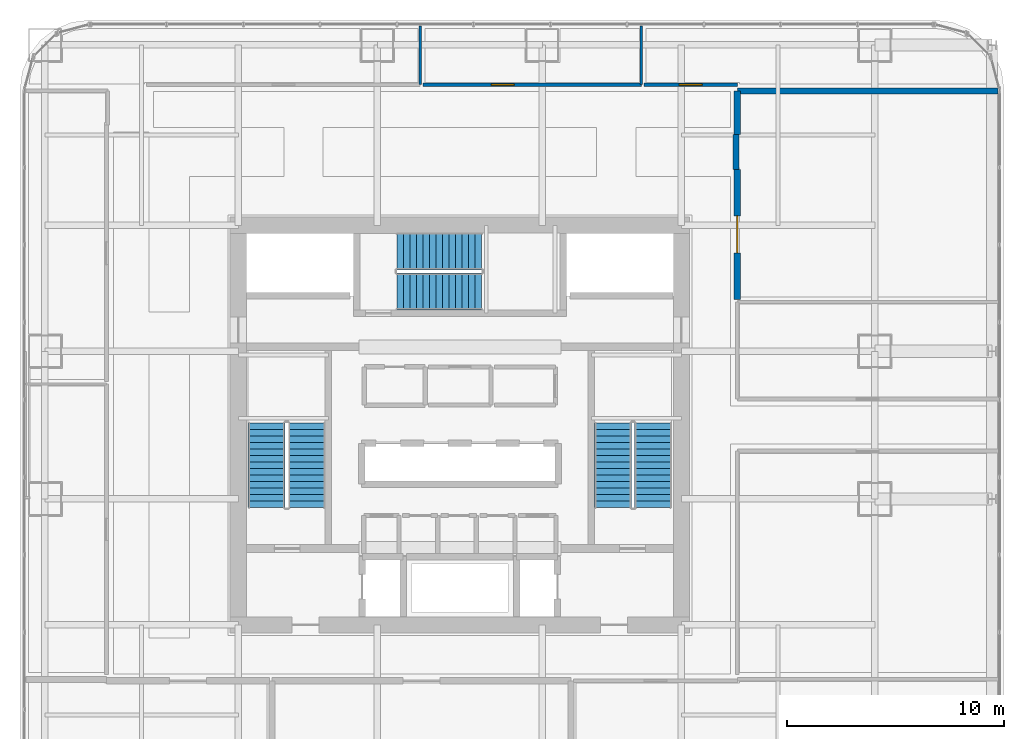
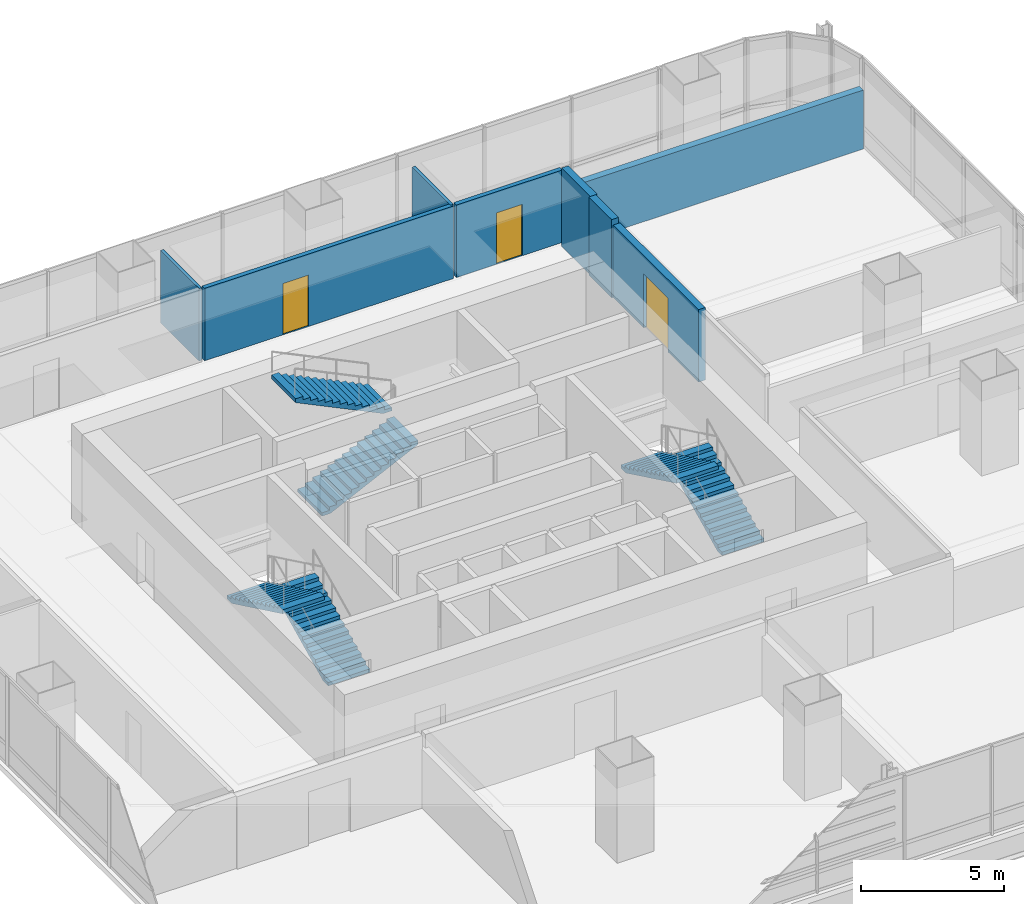
# One storey, part 29 of 34: 8 walls, 6 stair flights, 3 doors, 3 openings, 3 elements without a shape of their own.
"""IFC4 building model written with IfcOpenShell, lengths in metres."""

from ifc_helpers import new_model, si_unit, direction, frame, frame_2d, origin, place, context, subcontext, project, spatial, polyline, rectangle, outline, extrude, material, layer, layer_set, type_object, element, fill, aggregate, save


model = new_model("IFC4")

# Units and contexts
model_context = context("Model", 3, precision=1e-05, world=origin(), true_north=direction((0.0, 1.0)))
body_context = subcontext(model_context, "Body", "Model", "MODEL_VIEW")
ifc_project = project(units=[si_unit("LENGTHUNIT", "METRE"), si_unit("AREAUNIT", "SQUARE_METRE"), si_unit("VOLUMEUNIT", "CUBIC_METRE"), si_unit("PLANEANGLEUNIT", "RADIAN"), si_unit("MASSUNIT", "GRAM", prefix="KILO")], contexts=[model_context])

# Site, building, storey
site_placement = place(None, origin())
site = spatial("IfcSite", under=ifc_project, at=site_placement, CompositionType="ELEMENT")
building_placement = place(site_placement, origin())
building = spatial("IfcBuilding", under=site, at=building_placement, Name="Punatoya Terracotta Tower", CompositionType="ELEMENT")
storey_placement = place(building_placement, frame((0.0, 0.0, 80.85009765625)))
storey = spatial("IfcBuildingStorey", under=building, at=storey_placement, Name="L18", CompositionType="ELEMENT", Elevation=80.85009765625)

# Wall, opening, door
ifc_material_1 = material(Name="Concrete C40/50", Category="concrete")
ifc_layer_1 = layer(ifc_material_1, 0.280029296875)
ifc_layer_set_1 = layer_set([ifc_layer_1], Name="Concrete C40/50")
wall_type_1 = type_object("IfcWallType", Name="WL-AUD-280", PredefinedType="SOLIDWALL", material=ifc_layer_set_1)
wall_1_placement = place(storey_placement, frame((12.77001953125, 5.7900390625, 0.0), z_axis=(0.0, 0.0, 1.0), x_axis=(0.0, 1.0, 0.0)))
wall_1 = element("IfcWall", 1, at=wall_1_placement, inside=storey, type_object=wall_type_1, Name="L18 Waterfront Club Lounge Partition 39", PredefinedType="SOLIDWALL", context=body_context, shape_type="SweptSolid", body=[
    extrude(rectangle(XDim=5.97998046875, YDim=0.280029296875, at=frame_2d((2.989990234375, 0.0))), origin(), (0.0, 0.0, 1.0), 3.10400390625),
])
opening_1_placement = place(wall_1_placement, frame((2.139892578125, 0.0, 0.0)))
opening_1 = element("IfcOpeningElement", 2, at=opening_1_placement, cuts=wall_1, Name="Opening FD-D1", PredefinedType="OPENING", context=body_context, shape_type="SweptSolid", body=[
    extrude(rectangle(XDim=1.699951171875, YDim=2.300048828125, at=frame_2d((0.85009765625, 1.14990234375))), frame((0.0, 0.14990234375, 0.0), z_axis=(0.0, -1.0, 0.0), x_axis=(1.0, 0.0, 0.0)), (0.0, 0.0, 1.0), 0.300048828125),
])
ifc_material_2 = material(Name="Timber Teak Veneer Fire Leaf", Category="wood")
door_type_1 = type_object("IfcDoorType", Name="DR-DIN-1700", OperationType="NOTDEFINED", PredefinedType="DOOR", material=ifc_material_2)
door_1_placement = place(opening_1_placement, origin())
door_1 = element("IfcDoor", 3, at=door_1_placement, inside=storey, type_object=door_type_1, Name="L18 Waterfront Club Lounge Fire Door", OperationType="DOUBLE_DOOR_SINGLE_SWING", OverallHeight=2.300048828125, OverallWidth=1.699951171875, PredefinedType="DOOR", context=body_context, shape_type="SweptSolid", body=[
    extrude(rectangle(XDim=1.699951171875, YDim=2.300048828125, at=frame_2d((0.85009765625, 1.14990234375))), frame((0.0, 0.02490234375, 0.0), z_axis=(0.0, -1.0, 0.0), x_axis=(1.0, 0.0, 0.0)), (0.0, 0.0, 1.0), 0.050048828125),
])
fill(opening_1, door_1)

# Walls
wall_2_placement = place(storey_placement, frame((12.7099609375, 11.77001953125, 0.0), z_axis=(0.0, 0.0, 1.0), x_axis=(0.0, 1.0, 0.0)))
element("IfcWall", 4, at=wall_2_placement, inside=storey, type_object=wall_type_1, Name="L18 Waterfront Club Lounge Partition 40", PredefinedType="SOLIDWALL", context=body_context, shape_type="SweptSolid", body=[
    extrude(rectangle(XDim=1.60986328125, YDim=0.280029296875, at=frame_2d((0.804931640625, 0.0))), origin(), (0.0, 0.0, 1.0), 3.35400390625),
])
wall_3_placement = place(storey_placement, frame((12.77001953125, 13.3798828125, 0.0), z_axis=(0.0, 0.0, 1.0), x_axis=(0.0, 1.0, 0.0)))
element("IfcWall", 5, at=wall_3_placement, inside=storey, type_object=wall_type_1, Name="L18 Waterfront Club Lounge Partition 41", PredefinedType="SOLIDWALL", context=body_context, shape_type="SweptSolid", body=[
    extrude(rectangle(XDim=2.010009765625, YDim=0.280029296875, at=frame_2d((1.0048828125, 0.0))), origin(), (0.0, 0.0, 1.0), 3.35400390625),
])
wall_4_placement = place(storey_placement, frame((12.77001953125, 15.389892578125, 0.0), z_axis=(0.0, 0.0, 1.0), x_axis=(1.0, 0.0, 0.0)))
element("IfcWall", 6, at=wall_4_placement, inside=storey, type_object=wall_type_1, Name="L18 Waterfront Club Lounge Partition 42", PredefinedType="SOLIDWALL", context=body_context, shape_type="SweptSolid", body=[
    extrude(rectangle(XDim=12.0, YDim=0.280029296875, at=frame_2d((6.0, 0.0))), origin(), (0.0, 0.0, 1.0), 2.52392578125),
])

# Wall, opening, door
ifc_material_3 = material(Name="Gypsum Fireboard + Steel Stud", Category="steel")
ifc_layer_2 = layer(ifc_material_3, 0.179931640625)
ifc_layer_set_2 = layer_set([ifc_layer_2], Name="Gypsum Fireboard + Steel Stud")
wall_type_2 = type_object("IfcWallType", Name="WL-CORR-180", PredefinedType="PARTITIONING", material=ifc_layer_set_2)
wall_5_placement = place(storey_placement, frame((8.35888671875, 15.669921875, 0.0), z_axis=(0.0, 0.0, 1.0), x_axis=(-1.0, 0.0, 0.0)))
wall_5 = element("IfcWall", 7, at=wall_5_placement, inside=storey, type_object=wall_type_2, Name="L18 Open-Plan Hospitality Hosting Lounge Partition 46", PredefinedType="PARTITIONING", context=body_context, shape_type="SweptSolid", body=[
    extrude(rectangle(XDim=10.06591796875, YDim=0.179931640625, at=frame_2d((5.032958984375, 0.0))), origin(), (0.0, 0.0, 1.0), 3.10400390625),
])
opening_2_placement = place(wall_5_placement, frame((5.85791015625, 0.0, 0.0)))
opening_2 = element("IfcOpeningElement", 8, at=opening_2_placement, cuts=wall_5, Name="Opening OD-01", PredefinedType="OPENING", context=body_context, shape_type="SweptSolid", body=[
    extrude(rectangle(XDim=1.050048828125, YDim=2.199951171875, at=frame_2d((0.52490234375, 1.10009765625))), frame((0.0, 0.099853515625, 0.0), z_axis=(0.0, -1.0, 0.0), x_axis=(1.0, 0.0, 0.0)), (0.0, 0.0, 1.0), 0.199951171875),
])
ifc_material_4 = material(Name="Bengal Teak Solid-Core Leaf")
door_type_2 = type_object("IfcDoorType", Name="DR-OFF-1050", OperationType="NOTDEFINED", PredefinedType="DOOR", material=ifc_material_4)
door_2_placement = place(opening_2_placement, origin())
door_2 = element("IfcDoor", 9, at=door_2_placement, inside=storey, type_object=door_type_2, Name="L18 Open-Plan Hospitality Hosting Lounge Door", OperationType="SINGLE_SWING_LEFT", OverallHeight=2.199951171875, OverallWidth=1.050048828125, PredefinedType="DOOR", context=body_context, shape_type="SweptSolid", body=[
    extrude(rectangle(XDim=1.050048828125, YDim=2.199951171875, at=frame_2d((0.52490234375, 1.10009765625))), frame((0.0, 0.02490234375, 0.0), z_axis=(0.0, -1.0, 0.0), x_axis=(1.0, 0.0, 0.0)), (0.0, 0.0, 1.0), 0.050048828125),
])
fill(opening_2, door_2)

wall_6_placement = place(storey_placement, frame((12.77001953125, 15.669921875, 0.0), z_axis=(0.0, 0.0, 1.0), x_axis=(-1.0, 0.0, 0.0)))
wall_6 = element("IfcWall", 10, at=wall_6_placement, inside=storey, type_object=wall_type_2, Name="L18 Open-Plan Client Dining Salon Partition 47", PredefinedType="PARTITIONING", context=body_context, shape_type="SweptSolid", body=[
    extrude(rectangle(XDim=4.291015625, YDim=0.179931640625, at=frame_2d((2.1455078125, 0.0))), origin(), (0.0, 0.0, 1.0), 3.10400390625),
])
opening_3_placement = place(wall_6_placement, frame((1.62060546875, 0.0, 0.0)))
opening_3 = element("IfcOpeningElement", 11, at=opening_3_placement, cuts=wall_6, Name="Opening OD-01", PredefinedType="OPENING", context=body_context, shape_type="SweptSolid", body=[
    extrude(rectangle(XDim=1.050048828125, YDim=2.199951171875, at=frame_2d((0.52490234375, 1.10009765625))), frame((0.0, 0.099853515625, 0.0), z_axis=(0.0, -1.0, 0.0), x_axis=(1.0, 0.0, 0.0)), (0.0, 0.0, 1.0), 0.199951171875),
])
door_3_placement = place(opening_3_placement, origin())
door_3 = element("IfcDoor", 12, at=door_3_placement, inside=storey, type_object=door_type_2, Name="L18 Open-Plan Client Dining Salon Door", OperationType="SINGLE_SWING_RIGHT", OverallHeight=2.199951171875, OverallWidth=1.050048828125, PredefinedType="DOOR", context=body_context, shape_type="SweptSolid", body=[
    extrude(rectangle(XDim=1.050048828125, YDim=2.199951171875, at=frame_2d((0.52490234375, 1.10009765625))), frame((0.0, 0.02490234375, 0.0), z_axis=(0.0, -1.0, 0.0), x_axis=(1.0, 0.0, 0.0)), (0.0, 0.0, 1.0), 0.050048828125),
])
fill(opening_3, door_3)

# Walls
ifc_material_5 = material(Name="Gypsum Partition + Steel Stud", Category="steel")
ifc_layer_3 = layer(ifc_material_5, 0.1201171875)
ifc_layer_set_3 = layer_set([ifc_layer_3], Name="Gypsum Partition + Steel Stud")
wall_type_3 = type_object("IfcWallType", Name="WL-OFF-120", PredefinedType="PARTITIONING", material=ifc_layer_set_3)
for number, where, z_axis, x_axis, name in (
    (13, (-1.826904296875, 18.3701171875, 0.0), (0.0, 0.0, 1.0), (0.0, -1.0, 0.0), "L18 Open-Plan Terrace Refreshment Lounge Partition 43"),
    (14, (8.35888671875, 18.3701171875, 0.0), (0.0, 0.0, 1.0), (0.0, -1.0, 0.0), "L18 Open-Plan Hospitality Hosting Lounge Partition 45"),
):
    element("IfcWall", number, at=place(storey_placement, frame(where, z_axis=z_axis, x_axis=x_axis)), inside=storey, type_object=wall_type_3, Name=name, PredefinedType="PARTITIONING", context=body_context, shape_type="SweptSolid", body=[
        extrude(rectangle(XDim=2.7001953125, YDim=0.1201171875, at=frame_2d((1.35009765625, 0.0))), origin(), (0.0, 0.0, 1.0), 3.10400390625),
    ])

# Stair, stair flights
stair_type_1 = type_object("IfcStairType", Name="STR-CORE-1550", PredefinedType="HALF_TURN_STAIR", material=ifc_material_1)
stair_1_placement = place(storey_placement, origin())
stair_1 = element("IfcStair", 15, at=stair_1_placement, inside=storey, type_object=stair_type_1, Name="L18 Protected Core Exit Stair ST-1", PredefinedType="HALF_TURN_STAIR")
stair_flight_type_1 = type_object("IfcStairFlightType", Name="SFL-CORE-1550", PredefinedType="STRAIGHT", material=ifc_material_1)
stair_flight_1_placement = place(storey_placement, frame((-7.050048828125, -3.800048828125, 0.0), z_axis=(0.0, 0.0, 1.0), x_axis=(0.0, 1.0, 0.0)))
stair_flight_1 = element("IfcStairFlight", 16, at=stair_flight_1_placement, type_object=stair_flight_type_1, Name="ST-1 flight 1", NumberOfRisers=14, NumberOfTreads=13, PredefinedType="STRAIGHT", RiserHeight=0.144642857, TreadLength=0.3, context=body_context, shape_type="SweptSolid", body=[
    extrude(outline(polyline([(0.0, 0.0), (0.0, 0.14453125), (0.300048828125, 0.14453125), (0.300048828125, 0.289306640625), (0.60009765625, 0.289306640625), (0.60009765625, 0.433837890625), (0.89990234375, 0.433837890625), (0.89990234375, 0.57861328125), (1.199951171875, 0.57861328125), (1.199951171875, 0.72314453125), (1.5, 0.72314453125), (1.5, 0.867919921875), (1.800048828125, 0.867919921875), (1.800048828125, 1.012451171875), (2.10009765625, 1.012451171875), (2.10009765625, 1.1572265625), (2.39990234375, 1.1572265625), (2.39990234375, 1.3017578125), (2.699951171875, 1.3017578125), (2.699951171875, 1.446533203125), (3.0, 1.446533203125), (3.0, 1.591064453125), (3.300048828125, 1.591064453125), (3.300048828125, 1.735595703125), (3.60009765625, 1.735595703125), (3.60009765625, 1.88037109375), (3.89990234375, 1.88037109375), (3.89990234375, 2.02490234375), (3.89990234375, 1.7138671875), (0.34521484375, 0.0), (0.0, 0.0)])), frame((0.0, 0.85009765625, 0.0), z_axis=(0.0, -1.0, 0.0), x_axis=(1.0, 0.0, 0.0)), (0.0, 0.0, 1.0), 1.699951171875),
])
stair_flight_2_placement = place(storey_placement, frame((-8.89990234375, 0.10009765625, 2.02490234375), z_axis=(0.0, 0.0, 1.0), x_axis=(0.0, -1.0, 0.0)))
stair_flight_2 = element("IfcStairFlight", 17, at=stair_flight_2_placement, type_object=stair_flight_type_1, Name="ST-1 flight 2", NumberOfRisers=14, NumberOfTreads=13, PredefinedType="STRAIGHT", RiserHeight=0.144642857, TreadLength=0.3, context=body_context, shape_type="SweptSolid", body=[
    extrude(outline(polyline([(0.0, 0.0), (0.0, 0.14453125), (0.300048828125, 0.14453125), (0.300048828125, 0.289306640625), (0.60009765625, 0.289306640625), (0.60009765625, 0.433837890625), (0.89990234375, 0.433837890625), (0.89990234375, 0.57861328125), (1.199951171875, 0.57861328125), (1.199951171875, 0.72314453125), (1.5, 0.72314453125), (1.5, 0.867919921875), (1.800048828125, 0.867919921875), (1.800048828125, 1.012451171875), (2.10009765625, 1.012451171875), (2.10009765625, 1.1572265625), (2.39990234375, 1.1572265625), (2.39990234375, 1.3017578125), (2.699951171875, 1.3017578125), (2.699951171875, 1.446533203125), (3.0, 1.446533203125), (3.0, 1.591064453125), (3.300048828125, 1.591064453125), (3.300048828125, 1.735595703125), (3.60009765625, 1.735595703125), (3.60009765625, 1.88037109375), (3.89990234375, 1.88037109375), (3.89990234375, 2.02490234375), (3.89990234375, 1.7138671875), (0.34521484375, 0.0), (0.0, 0.0)])), frame((0.0, 0.85009765625, 0.0), z_axis=(0.0, -1.0, 0.0), x_axis=(1.0, 0.0, 0.0)), (0.0, 0.0, 1.0), 1.699951171875),
])
aggregate(stair_1, [stair_flight_1, stair_flight_2])

stair_type_2 = type_object("IfcStairType", Name="STR-LOB-1650", PredefinedType="HALF_TURN_STAIR", material=ifc_material_1)
stair_2_placement = place(storey_placement, origin())
stair_2 = element("IfcStair", 18, at=stair_2_placement, inside=storey, type_object=stair_type_2, Name="L18 Protected Core Exit Stair ST-2", PredefinedType="HALF_TURN_STAIR")
stair_flight_type_2 = type_object("IfcStairFlightType", Name="SFL-LOB-1650", PredefinedType="STRAIGHT", material=ifc_material_1)
stair_flight_3_placement = place(storey_placement, frame((8.89990234375, -3.800048828125, 0.0), z_axis=(0.0, 0.0, 1.0), x_axis=(0.0, 1.0, 0.0)))
stair_flight_3 = element("IfcStairFlight", 19, at=stair_flight_3_placement, type_object=stair_flight_type_2, Name="ST-2 flight 1", NumberOfRisers=14, NumberOfTreads=13, PredefinedType="STRAIGHT", RiserHeight=0.144642857, TreadLength=0.3, context=body_context, shape_type="SweptSolid", body=[
    extrude(outline(polyline([(0.0, 0.0), (0.0, 0.14453125), (0.300048828125, 0.14453125), (0.300048828125, 0.289306640625), (0.60009765625, 0.289306640625), (0.60009765625, 0.433837890625), (0.89990234375, 0.433837890625), (0.89990234375, 0.57861328125), (1.199951171875, 0.57861328125), (1.199951171875, 0.72314453125), (1.5, 0.72314453125), (1.5, 0.867919921875), (1.800048828125, 0.867919921875), (1.800048828125, 1.012451171875), (2.10009765625, 1.012451171875), (2.10009765625, 1.1572265625), (2.39990234375, 1.1572265625), (2.39990234375, 1.3017578125), (2.699951171875, 1.3017578125), (2.699951171875, 1.446533203125), (3.0, 1.446533203125), (3.0, 1.591064453125), (3.300048828125, 1.591064453125), (3.300048828125, 1.735595703125), (3.60009765625, 1.735595703125), (3.60009765625, 1.88037109375), (3.89990234375, 1.88037109375), (3.89990234375, 2.02490234375), (3.89990234375, 1.7138671875), (0.34521484375, 0.0), (0.0, 0.0)])), frame((0.0, 0.85009765625, 0.0), z_axis=(0.0, -1.0, 0.0), x_axis=(1.0, 0.0, 0.0)), (0.0, 0.0, 1.0), 1.699951171875),
])
stair_flight_4_placement = place(storey_placement, frame((7.050048828125, 0.10009765625, 2.02490234375), z_axis=(0.0, 0.0, 1.0), x_axis=(0.0, -1.0, 0.0)))
stair_flight_4 = element("IfcStairFlight", 20, at=stair_flight_4_placement, type_object=stair_flight_type_2, Name="ST-2 flight 2", NumberOfRisers=14, NumberOfTreads=13, PredefinedType="STRAIGHT", RiserHeight=0.144642857, TreadLength=0.3, context=body_context, shape_type="SweptSolid", body=[
    extrude(outline(polyline([(0.0, 0.0), (0.0, 0.14453125), (0.300048828125, 0.14453125), (0.300048828125, 0.289306640625), (0.60009765625, 0.289306640625), (0.60009765625, 0.433837890625), (0.89990234375, 0.433837890625), (0.89990234375, 0.57861328125), (1.199951171875, 0.57861328125), (1.199951171875, 0.72314453125), (1.5, 0.72314453125), (1.5, 0.867919921875), (1.800048828125, 0.867919921875), (1.800048828125, 1.012451171875), (2.10009765625, 1.012451171875), (2.10009765625, 1.1572265625), (2.39990234375, 1.1572265625), (2.39990234375, 1.3017578125), (2.699951171875, 1.3017578125), (2.699951171875, 1.446533203125), (3.0, 1.446533203125), (3.0, 1.591064453125), (3.300048828125, 1.591064453125), (3.300048828125, 1.735595703125), (3.60009765625, 1.735595703125), (3.60009765625, 1.88037109375), (3.89990234375, 1.88037109375), (3.89990234375, 2.02490234375), (3.89990234375, 1.7138671875), (0.34521484375, 0.0), (0.0, 0.0)])), frame((0.0, 0.85009765625, 0.0), z_axis=(0.0, -1.0, 0.0), x_axis=(1.0, 0.0, 0.0)), (0.0, 0.0, 1.0), 1.699951171875),
])
aggregate(stair_2, [stair_flight_3, stair_flight_4])

stair_type_3 = type_object("IfcStairType", Name="STR-TER-1450", PredefinedType="HALF_TURN_STAIR", material=ifc_material_1)
stair_3_placement = place(storey_placement, origin())
stair_3 = element("IfcStair", 21, at=stair_3_placement, inside=storey, type_object=stair_type_3, Name="L18 Protected Core Exit Stair ST-3", PredefinedType="HALF_TURN_STAIR")
stair_flight_type_3 = type_object("IfcStairFlightType", Name="SFL-TER-1450", PredefinedType="STRAIGHT", material=ifc_material_1)
stair_flight_5_placement = place(storey_placement, frame((-2.89990234375, 6.14990234375, 0.0), z_axis=(0.0, 0.0, 1.0), x_axis=(1.0, 0.0, 0.0)))
stair_flight_5 = element("IfcStairFlight", 22, at=stair_flight_5_placement, type_object=stair_flight_type_3, Name="ST-3 flight 1", NumberOfRisers=14, NumberOfTreads=13, PredefinedType="STRAIGHT", RiserHeight=0.144642857, TreadLength=0.3, context=body_context, shape_type="SweptSolid", body=[
    extrude(outline(polyline([(0.0, 0.0), (0.0, 0.14453125), (0.300048828125, 0.14453125), (0.300048828125, 0.289306640625), (0.60009765625, 0.289306640625), (0.60009765625, 0.433837890625), (0.89990234375, 0.433837890625), (0.89990234375, 0.57861328125), (1.199951171875, 0.57861328125), (1.199951171875, 0.72314453125), (1.5, 0.72314453125), (1.5, 0.867919921875), (1.800048828125, 0.867919921875), (1.800048828125, 1.012451171875), (2.10009765625, 1.012451171875), (2.10009765625, 1.1572265625), (2.39990234375, 1.1572265625), (2.39990234375, 1.3017578125), (2.699951171875, 1.3017578125), (2.699951171875, 1.446533203125), (3.0, 1.446533203125), (3.0, 1.591064453125), (3.300048828125, 1.591064453125), (3.300048828125, 1.735595703125), (3.60009765625, 1.735595703125), (3.60009765625, 1.88037109375), (3.89990234375, 1.88037109375), (3.89990234375, 2.02490234375), (3.89990234375, 1.7138671875), (0.34521484375, 0.0), (0.0, 0.0)])), frame((0.0, 0.85009765625, 0.0), z_axis=(0.0, -1.0, 0.0), x_axis=(1.0, 0.0, 0.0)), (0.0, 0.0, 1.0), 1.699951171875),
])
stair_flight_6_placement = place(storey_placement, frame((1.0, 8.0, 2.02490234375), z_axis=(0.0, 0.0, 1.0), x_axis=(-1.0, 0.0, 0.0)))
stair_flight_6 = element("IfcStairFlight", 23, at=stair_flight_6_placement, type_object=stair_flight_type_3, Name="ST-3 flight 2", NumberOfRisers=14, NumberOfTreads=13, PredefinedType="STRAIGHT", RiserHeight=0.144642857, TreadLength=0.3, context=body_context, shape_type="SweptSolid", body=[
    extrude(outline(polyline([(0.0, 0.0), (0.0, 0.14453125), (0.300048828125, 0.14453125), (0.300048828125, 0.289306640625), (0.60009765625, 0.289306640625), (0.60009765625, 0.433837890625), (0.89990234375, 0.433837890625), (0.89990234375, 0.57861328125), (1.199951171875, 0.57861328125), (1.199951171875, 0.72314453125), (1.5, 0.72314453125), (1.5, 0.867919921875), (1.800048828125, 0.867919921875), (1.800048828125, 1.012451171875), (2.10009765625, 1.012451171875), (2.10009765625, 1.1572265625), (2.39990234375, 1.1572265625), (2.39990234375, 1.3017578125), (2.699951171875, 1.3017578125), (2.699951171875, 1.446533203125), (3.0, 1.446533203125), (3.0, 1.591064453125), (3.300048828125, 1.591064453125), (3.300048828125, 1.735595703125), (3.60009765625, 1.735595703125), (3.60009765625, 1.88037109375), (3.89990234375, 1.88037109375), (3.89990234375, 2.02490234375), (3.89990234375, 1.7138671875), (0.34521484375, 0.0), (0.0, 0.0)])), frame((0.0, 0.85009765625, 0.0), z_axis=(0.0, -1.0, 0.0), x_axis=(1.0, 0.0, 0.0)), (0.0, 0.0, 1.0), 1.699951171875),
])
aggregate(stair_3, [stair_flight_5, stair_flight_6])

save(model, "model.ifc")
